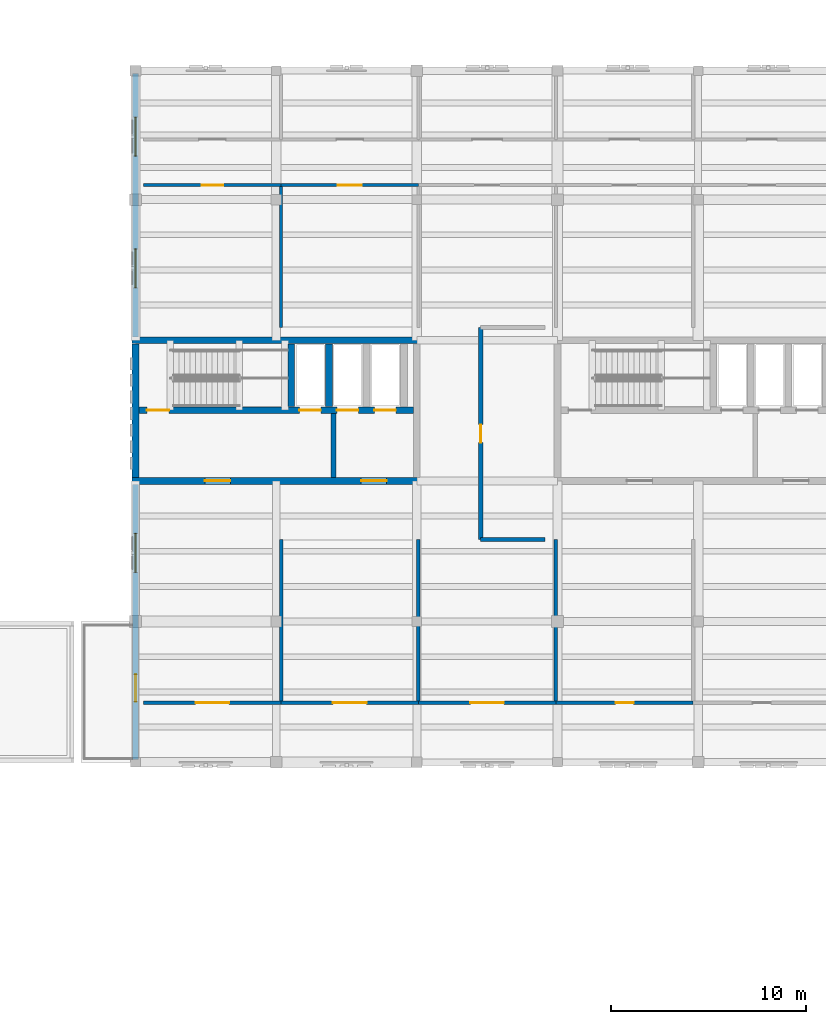
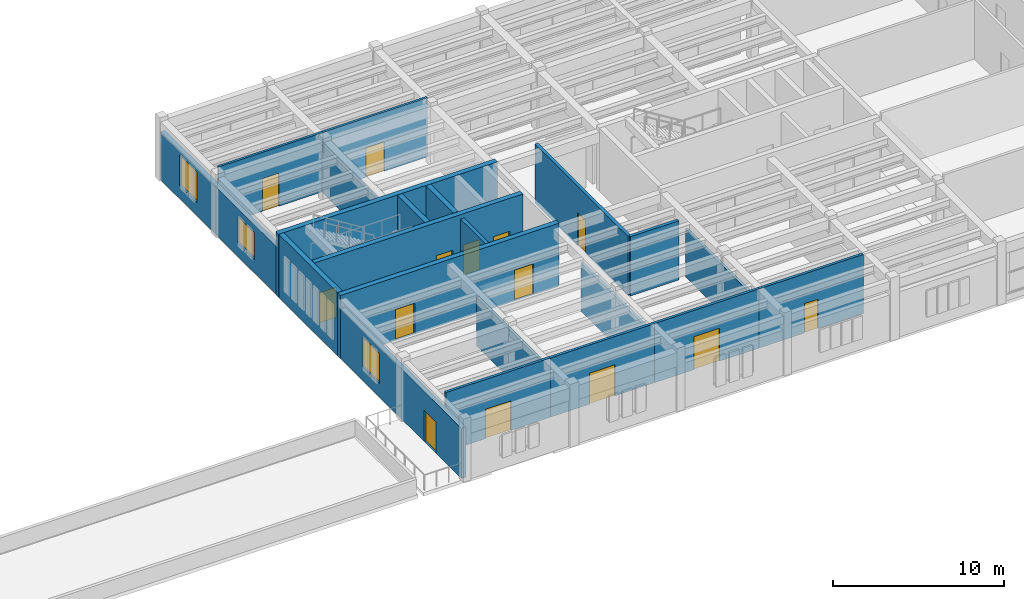
# One storey, part 12 of 18: 21 walls, 14 doors, 3 windows, 17 openings.
"""IFC4 building model written with IfcOpenShell, lengths in metres."""

from ifc_helpers import new_model, si_unit, direction, frame, frame_2d, origin, place, context, subcontext, project, spatial, rectangle, extrude, material, layer, layer_set, type_object, element, fill, save


model = new_model("IFC4")

# Units and contexts
model_context = context("Model", 3, precision=1e-05, world=origin(), true_north=direction((0.0, 1.0)))
body_context = subcontext(model_context, "Body", "Model", "MODEL_VIEW")
ifc_project = project(units=[si_unit("LENGTHUNIT", "METRE"), si_unit("AREAUNIT", "SQUARE_METRE"), si_unit("VOLUMEUNIT", "CUBIC_METRE"), si_unit("PLANEANGLEUNIT", "RADIAN"), si_unit("MASSUNIT", "GRAM", prefix="KILO")], contexts=[model_context])

# Site, building, storey
site_placement = place(None, origin())
site = spatial("IfcSite", under=ifc_project, at=site_placement, CompositionType="ELEMENT")
building_placement = place(site_placement, origin())
building = spatial("IfcBuilding", under=site, at=building_placement, Name="Mithqara Police Headquarters", CompositionType="ELEMENT")
storey_placement = place(building_placement, frame((0.0, 0.0, 26.39990234375)))
storey = spatial("IfcBuildingStorey", under=building, at=storey_placement, Name="L06", CompositionType="ELEMENT", Elevation=26.39990234375)

# Wall
ifc_material_1 = material(Name="Concrete C40/50", Category="concrete")
ifc_layer_1 = layer(ifc_material_1, 0.239990234375, Name="Concrete C40/50")
ifc_layer_set_1 = layer_set([ifc_layer_1], Name="Concrete C40/50")
wall_type_1 = type_object("IfcWallType", Name="CORE LOBBY WALL 240", PredefinedType="SOLIDWALL", material=ifc_layer_set_1)
wall_1_placement = place(storey_placement, frame((118.72998046875, 93.169921875, 0.0), z_axis=(0.0, 0.0, 1.0), x_axis=(0.0, 1.0, 0.0)))
element("IfcWall", 1, at=wall_1_placement, inside=storey, type_object=wall_type_1, Name="Core C1 Command West Firefighting Lobby Separation Wall L06", PredefinedType="SOLIDWALL", context=body_context, shape_type="SweptSolid", body=[
    extrude(rectangle(XDim=3.280029296875, YDim=0.239990234375, at=frame_2d((1.64013671875, 0.0))), origin(), (0.0, 0.0, 1.0), 4.190185546875),
])

# Wall, openings, windows
ifc_material_2 = material(Name="Ochre masonry cavity wall, 35 MPa", Category="masonry")
ifc_layer_2 = layer(ifc_material_2, 0.300048828125, Name="Ochre masonry cavity wall, 35 MPa")
ifc_layer_set_2 = layer_set([ifc_layer_2], Name="Ochre masonry cavity wall, 35 MPa")
wall_type_2 = type_object("IfcWallType", Name="EXT WALL OCHRE BRICK300", PredefinedType="SOLIDWALL", material=ifc_layer_set_2)
wall_2_placement = place(storey_placement, frame((108.60009765625, 113.85009765625, 0.0), z_axis=(0.0, 0.0, 1.0), x_axis=(0.0, -1.0, 0.0)))
wall_2 = element("IfcWall", 2, at=wall_2_placement, inside=storey, type_object=wall_type_2, Name="L06 Exterior Wall 7.1", PredefinedType="SOLIDWALL", context=body_context, shape_type="SweptSolid", body=[
    extrude(rectangle(XDim=13.47998046875, YDim=0.300048828125, at=frame_2d((6.739990234375, 0.0))), origin(), (0.0, 0.0, 1.0), 3.420166015625),
])
opening_1_placement = place(wall_2_placement, frame((8.965087890625, 0.0, 0.949951171875)))
opening_1 = element("IfcOpeningElement", 3, at=opening_1_placement, cuts=wall_2, Name="Opening W-38", PredefinedType="OPENING", context=body_context, shape_type="SweptSolid", body=[
    extrude(rectangle(XDim=2.0, YDim=1.89990234375, at=frame_2d((1.0, 0.949951171875))), frame((0.0, 0.16015625, 0.0), z_axis=(0.0, -1.0, 0.0), x_axis=(1.0, 0.0, 0.0)), (0.0, 0.0, 1.0), 0.320068359375),
])
opening_2_placement = place(wall_2_placement, frame((2.22509765625, 0.0, 0.949951171875)))
opening_2 = element("IfcOpeningElement", 4, at=opening_2_placement, cuts=wall_2, Name="Opening W-39", PredefinedType="OPENING", context=body_context, shape_type="SweptSolid", body=[
    extrude(rectangle(XDim=2.0, YDim=2.14990234375, at=frame_2d((1.0, 1.074951171875))), frame((0.0, 0.16015625, 0.0), z_axis=(0.0, -1.0, 0.0), x_axis=(1.0, 0.0, 0.0)), (0.0, 0.0, 1.0), 0.320068359375),
])
ifc_material_3 = material(Name="Spectrally selective double low-e glass", Category="glass")
window_type_1 = type_object("IfcWindowType", Name="WINDOW 2000X1900", PartitioningType="DOUBLE_PANEL_VERTICAL", PredefinedType="WINDOW", material=ifc_material_3)
window_1_placement = place(opening_1_placement, origin())
window_1 = element("IfcWindow", 5, at=window_1_placement, inside=storey, type_object=window_type_1, Name="L06 Command Block Screened Window 7.1", OverallHeight=1.89990234375, OverallWidth=2.0, PartitioningType="SINGLE_PANEL", PredefinedType="WINDOW", context=body_context, shape_type="SweptSolid", body=[
    extrude(rectangle(XDim=2.0, YDim=1.89990234375, at=frame_2d((1.0, 0.949951171875))), frame((0.0, 0.030029296875, 0.0), z_axis=(0.0, -1.0, 0.0), x_axis=(1.0, 0.0, 0.0)), (0.0, 0.0, 1.0), 0.06005859375),
])
fill(opening_1, window_1)
window_type_2 = type_object("IfcWindowType", Name="WINDOW 2000X2150", PartitioningType="DOUBLE_PANEL_VERTICAL", PredefinedType="WINDOW", material=ifc_material_3)
window_2_placement = place(opening_2_placement, origin())
window_2 = element("IfcWindow", 6, at=window_2_placement, inside=storey, type_object=window_type_2, Name="L06 Command Block Screened Window 7.2", OverallHeight=2.14990234375, OverallWidth=2.0, PartitioningType="SINGLE_PANEL", PredefinedType="WINDOW", context=body_context, shape_type="SweptSolid", body=[
    extrude(rectangle(XDim=2.0, YDim=2.14990234375, at=frame_2d((1.0, 1.074951171875))), frame((0.0, 0.030029296875, 0.0), z_axis=(0.0, -1.0, 0.0), x_axis=(1.0, 0.0, 0.0)), (0.0, 0.0, 1.0), 0.06005859375),
])
fill(opening_2, window_2)

# Wall, openings, door, window
wall_3_placement = place(storey_placement, frame((108.60009765625, 92.830078125, 0.0), z_axis=(0.0, 0.0, 1.0), x_axis=(0.0, -1.0, 0.0)))
wall_3 = element("IfcWall", 7, at=wall_3_placement, inside=storey, type_object=wall_type_2, Name="L06 Exterior Wall 7.2", PredefinedType="SOLIDWALL", context=body_context, shape_type="SweptSolid", body=[
    extrude(rectangle(XDim=14.080078125, YDim=0.300048828125, at=frame_2d((7.0400390625, 0.0))), origin(), (0.0, 0.0, 1.0), 3.570068359375),
])
opening_3_placement = place(wall_3_placement, frame((9.72998046875, 0.0, 0.0)))
opening_3 = element("IfcOpeningElement", 8, at=opening_3_placement, cuts=wall_3, Name="Opening TD-02", PredefinedType="OPENING", context=body_context, shape_type="SweptSolid", body=[
    extrude(rectangle(XDim=1.39990234375, YDim=2.199951171875, at=frame_2d((0.699951171875, 1.10009765625))), frame((0.0, 0.16015625, 0.0), z_axis=(0.0, -1.0, 0.0), x_axis=(1.0, 0.0, 0.0)), (0.0, 0.0, 1.0), 0.320068359375),
])
opening_4_placement = place(wall_3_placement, frame((2.514892578125, 0.0, 0.949951171875)))
opening_4 = element("IfcOpeningElement", 9, at=opening_4_placement, cuts=wall_3, Name="Opening W-39", PredefinedType="OPENING", context=body_context, shape_type="SweptSolid", body=[
    extrude(rectangle(XDim=2.0, YDim=2.14990234375, at=frame_2d((1.0, 1.074951171875))), frame((0.0, 0.16015625, 0.0), z_axis=(0.0, -1.0, 0.0), x_axis=(1.0, 0.0, 0.0)), (0.0, 0.0, 1.0), 0.320068359375),
])
ifc_material_4 = material(Name="Bronze anodised aluminium 6063-T6", Category="aluminium")
door_type_1 = type_object("IfcDoorType", Name="EXT DOOR TERRACE 1400X2200", OperationType="DOUBLE_DOOR_SINGLE_SWING", PredefinedType="DOOR", material=ifc_material_4)
door_1_placement = place(opening_3_placement, frame((1.39990234375, 0.0, 0.0), z_axis=(0.0, 0.0, 1.0), x_axis=(-1.0, 0.0, 0.0)))
door_1 = element("IfcDoor", 10, at=door_1_placement, inside=storey, type_object=door_type_1, Name="L06 Terrace Access Door TER-L06-W", OperationType="DOUBLE_DOOR_SINGLE_SWING", OverallHeight=2.199951171875, OverallWidth=1.39990234375, PredefinedType="DOOR", context=body_context, shape_type="SweptSolid", body=[
    extrude(rectangle(XDim=1.39990234375, YDim=2.199951171875, at=frame_2d((0.699951171875, 1.10009765625))), frame((0.0, 0.02490234375, 0.0), z_axis=(0.0, -1.0, 0.0), x_axis=(1.0, 0.0, 0.0)), (0.0, 0.0, 1.0), 0.050048828125),
])
fill(opening_3, door_1)
window_3_placement = place(opening_4_placement, origin())
window_3 = element("IfcWindow", 11, at=window_3_placement, inside=storey, type_object=window_type_2, Name="L06 Command Block Screened Window 7.2", OverallHeight=2.14990234375, OverallWidth=2.0, PartitioningType="SINGLE_PANEL", PredefinedType="WINDOW", context=body_context, shape_type="SweptSolid", body=[
    extrude(rectangle(XDim=2.0, YDim=2.14990234375, at=frame_2d((1.0, 1.074951171875))), frame((0.0, 0.030029296875, 0.0), z_axis=(0.0, -1.0, 0.0), x_axis=(1.0, 0.0, 0.0)), (0.0, 0.0, 1.0), 0.06005859375),
])
fill(opening_4, window_3)

# Wall, opening, door
ifc_material_5 = material(Name="Gypsum acoustic stud partition", Category="gypsum")
ifc_layer_3 = layer(ifc_material_5, 0.159912109375, Name="Gypsum acoustic stud partition")
ifc_layer_set_3 = layer_set([ifc_layer_3], Name="Gypsum acoustic stud partition")
wall_type_3 = type_object("IfcWallType", Name="PART WALL 160", PredefinedType="PARTITIONING", material=ifc_layer_set_3)
wall_4_placement = place(storey_placement, frame((109.02001953125, 108.139892578125, 0.0), z_axis=(0.0, 0.0, 1.0), x_axis=(1.0, 0.0, 0.0)))
wall_4 = element("IfcWall", 12, at=wall_4_placement, inside=storey, type_object=wall_type_3, Name="L06 Corridor Wall Joint Intelligence Operations Room", PredefinedType="PARTITIONING", context=body_context, shape_type="SweptSolid", body=[
    extrude(rectangle(XDim=7.031982421875, YDim=0.159912109375, at=frame_2d((3.51611328125, 0.0))), origin(), (0.0, 0.0, 1.0), 4.22021484375),
])
opening_5_placement = place(wall_4_placement, frame((2.966064453125, 0.0, 0.0)))
opening_5 = element("IfcOpeningElement", 13, at=opening_5_placement, cuts=wall_4, Name="Opening D-12", PredefinedType="OPENING", context=body_context, shape_type="SweptSolid", body=[
    extrude(rectangle(XDim=1.10009765625, YDim=2.35009765625, at=frame_2d((0.550048828125, 1.175048828125))), frame((0.0, 0.08984375, 0.0), z_axis=(0.0, -1.0, 0.0), x_axis=(1.0, 0.0, 0.0)), (0.0, 0.0, 1.0), 0.179931640625),
])
ifc_material_6 = material(Name="Acoustic solid-core timber leaf", Category="wood")
door_type_2 = type_object("IfcDoorType", Name="INT DOOR 1100X2350", OperationType="NOTDEFINED", PredefinedType="DOOR", material=ifc_material_6)
door_2_placement = place(opening_5_placement, frame((1.10009765625, 0.0, 0.0), z_axis=(0.0, 0.0, 1.0), x_axis=(-1.0, 0.0, 0.0)))
door_2 = element("IfcDoor", 14, at=door_2_placement, inside=storey, type_object=door_type_2, Name="Joint Intelligence Operations Room Entry Door", OperationType="SINGLE_SWING_LEFT", OverallHeight=2.35009765625, OverallWidth=1.10009765625, PredefinedType="DOOR", context=body_context, shape_type="SweptSolid", body=[
    extrude(rectangle(XDim=1.10009765625, YDim=2.35009765625, at=frame_2d((0.550048828125, 1.175048828125))), frame((0.0, 0.02490234375, 0.0), z_axis=(0.0, -1.0, 0.0), x_axis=(1.0, 0.0, 0.0)), (0.0, 0.0, 1.0), 0.050048828125),
])
fill(opening_5, door_2)

# Wall
wall_5_placement = place(storey_placement, frame((116.052001953125, 100.85009765625, 0.0), z_axis=(0.0, 0.0, 1.0), x_axis=(0.0, 1.0, 0.0)))
element("IfcWall", 15, at=wall_5_placement, inside=storey, type_object=wall_type_3, Name="L06 Room Partition Joint Intelligence Operations Room", PredefinedType="PARTITIONING", context=body_context, shape_type="SweptSolid", body=[
    extrude(rectangle(XDim=7.289794921875, YDim=0.159912109375, at=frame_2d((3.64501953125, 0.0))), origin(), (0.0, 0.0, 1.0), 3.3701171875),
])

# Wall, opening, door
wall_6_placement = place(storey_placement, frame((116.052001953125, 108.139892578125, 0.0), z_axis=(0.0, 0.0, 1.0), x_axis=(1.0, 0.0, 0.0)))
wall_6 = element("IfcWall", 16, at=wall_6_placement, inside=storey, type_object=wall_type_3, Name="L06 Corridor Wall Radio Cryptography Server Room", PredefinedType="PARTITIONING", context=body_context, shape_type="SweptSolid", body=[
    extrude(rectangle(XDim=7.031982421875, YDim=0.159912109375, at=frame_2d((3.51611328125, 0.0))), origin(), (0.0, 0.0, 1.0), 4.22021484375),
])
opening_6_placement = place(wall_6_placement, frame((2.906005859375, 0.0, 0.0)))
opening_6 = element("IfcOpeningElement", 17, at=opening_6_placement, cuts=wall_6, Name="Opening D-13", PredefinedType="OPENING", context=body_context, shape_type="SweptSolid", body=[
    extrude(rectangle(XDim=1.219970703125, YDim=2.10009765625, at=frame_2d((0.60986328125, 1.050048828125))), frame((0.0, 0.08984375, 0.0), z_axis=(0.0, -1.0, 0.0), x_axis=(1.0, 0.0, 0.0)), (0.0, 0.0, 1.0), 0.179931640625),
])
door_type_3 = type_object("IfcDoorType", Name="INT DOOR 1220X2100", OperationType="NOTDEFINED", PredefinedType="DOOR", material=ifc_material_6)
door_3_placement = place(opening_6_placement, frame((1.219970703125, 0.0, 0.0), z_axis=(0.0, 0.0, 1.0), x_axis=(-1.0, 0.0, 0.0)))
door_3 = element("IfcDoor", 18, at=door_3_placement, inside=storey, type_object=door_type_3, Name="Radio Cryptography Server Room Entry Door", OperationType="SINGLE_SWING_RIGHT", OverallHeight=2.10009765625, OverallWidth=1.219970703125, PredefinedType="DOOR", context=body_context, shape_type="SweptSolid", body=[
    extrude(rectangle(XDim=1.219970703125, YDim=2.10009765625, at=frame_2d((0.60986328125, 1.050048828125))), frame((0.0, 0.02490234375, 0.0), z_axis=(0.0, -1.0, 0.0), x_axis=(1.0, 0.0, 0.0)), (0.0, 0.0, 1.0), 0.050048828125),
])
fill(opening_6, door_3)

ifc_layer_4 = layer(ifc_material_1, 0.179931640625, Name="Concrete C40/50")
ifc_layer_set_4 = layer_set([ifc_layer_4], Name="Concrete C40/50")
wall_type_4 = type_object("IfcWallType", Name="PART WALL 180", PredefinedType="PARTITIONING", material=ifc_layer_set_4)
wall_7_placement = place(storey_placement, frame((109.02001953125, 81.639892578125, 0.0), z_axis=(0.0, 0.0, 1.0), x_axis=(1.0, 0.0, 0.0)))
wall_7 = element("IfcWall", 19, at=wall_7_placement, inside=storey, type_object=wall_type_4, Name="L06 Corridor Wall Joint Intelligence Operations Room", PredefinedType="PARTITIONING", context=body_context, shape_type="SweptSolid", body=[
    extrude(rectangle(XDim=7.031982421875, YDim=0.179931640625, at=frame_2d((3.51611328125, 0.0))), origin(), (0.0, 0.0, 1.0), 4.22021484375),
])
opening_7_placement = place(wall_7_placement, frame((2.656005859375, 0.0, 0.0)))
opening_7 = element("IfcOpeningElement", 20, at=opening_7_placement, cuts=wall_7, Name="Opening D-22", PredefinedType="OPENING", context=body_context, shape_type="SweptSolid", body=[
    extrude(rectangle(XDim=1.719970703125, YDim=2.10009765625, at=frame_2d((0.85986328125, 1.050048828125))), frame((0.0, 0.10009765625, 0.0), z_axis=(0.0, -1.0, 0.0), x_axis=(1.0, 0.0, 0.0)), (0.0, 0.0, 1.0), 0.199951171875),
])
door_type_4 = type_object("IfcDoorType", Name="INT DOOR 1720X2100", OperationType="NOTDEFINED", PredefinedType="DOOR", material=ifc_material_4)
door_4_placement = place(opening_7_placement, origin())
door_4 = element("IfcDoor", 21, at=door_4_placement, inside=storey, type_object=door_type_4, Name="Joint Intelligence Operations Room Entry Door", OperationType="DOUBLE_DOOR_SINGLE_SWING", OverallHeight=2.10009765625, OverallWidth=1.719970703125, PredefinedType="DOOR", context=body_context, shape_type="SweptSolid", body=[
    extrude(rectangle(XDim=1.719970703125, YDim=2.10009765625, at=frame_2d((0.85986328125, 1.050048828125))), frame((0.0, 0.02490234375, 0.0), z_axis=(0.0, -1.0, 0.0), x_axis=(1.0, 0.0, 0.0)), (0.0, 0.0, 1.0), 0.050048828125),
])
fill(opening_7, door_4)

# Wall
wall_8_placement = place(storey_placement, frame((116.052001953125, 81.639892578125, 0.0), z_axis=(0.0, 0.0, 1.0), x_axis=(0.0, 1.0, 0.0)))
element("IfcWall", 22, at=wall_8_placement, inside=storey, type_object=wall_type_4, Name="L06 Room Partition Joint Intelligence Operations Room", PredefinedType="PARTITIONING", context=body_context, shape_type="SweptSolid", body=[
    extrude(rectangle(XDim=8.360107421875, YDim=0.179931640625, at=frame_2d((4.18017578125, 0.0))), origin(), (0.0, 0.0, 1.0), 3.47021484375),
])

# Wall, opening, door
wall_9_placement = place(storey_placement, frame((116.052001953125, 81.639892578125, 0.0), z_axis=(0.0, 0.0, 1.0), x_axis=(1.0, 0.0, 0.0)))
wall_9 = element("IfcWall", 23, at=wall_9_placement, inside=storey, type_object=wall_type_4, Name="L06 Corridor Wall Radio Cryptography Server Room", PredefinedType="PARTITIONING", context=body_context, shape_type="SweptSolid", body=[
    extrude(rectangle(XDim=7.031982421875, YDim=0.179931640625, at=frame_2d((3.51611328125, 0.0))), origin(), (0.0, 0.0, 1.0), 4.22021484375),
])
opening_8_placement = place(wall_9_placement, frame((2.656005859375, 0.0, 0.0)))
opening_8 = element("IfcOpeningElement", 24, at=opening_8_placement, cuts=wall_9, Name="Opening D-23", PredefinedType="OPENING", context=body_context, shape_type="SweptSolid", body=[
    extrude(rectangle(XDim=1.719970703125, YDim=2.219970703125, at=frame_2d((0.85986328125, 1.10986328125))), frame((0.0, 0.10009765625, 0.0), z_axis=(0.0, -1.0, 0.0), x_axis=(1.0, 0.0, 0.0)), (0.0, 0.0, 1.0), 0.199951171875),
])
door_type_5 = type_object("IfcDoorType", Name="INT DOOR 1720X2220", OperationType="NOTDEFINED", PredefinedType="DOOR", material=ifc_material_4)
door_5_placement = place(opening_8_placement, origin())
door_5 = element("IfcDoor", 25, at=door_5_placement, inside=storey, type_object=door_type_5, Name="Radio Cryptography Server Room Entry Door", OperationType="DOUBLE_DOOR_SINGLE_SWING", OverallHeight=2.219970703125, OverallWidth=1.719970703125, PredefinedType="DOOR", context=body_context, shape_type="SweptSolid", body=[
    extrude(rectangle(XDim=1.719970703125, YDim=2.219970703125, at=frame_2d((0.85986328125, 1.10986328125))), frame((0.0, 0.02490234375, 0.0), z_axis=(0.0, -1.0, 0.0), x_axis=(1.0, 0.0, 0.0)), (0.0, 0.0, 1.0), 0.050048828125),
])
fill(opening_8, door_5)

# Wall
wall_10_placement = place(storey_placement, frame((123.083984375, 81.639892578125, 0.0), z_axis=(0.0, 0.0, 1.0), x_axis=(0.0, 1.0, 0.0)))
element("IfcWall", 26, at=wall_10_placement, inside=storey, type_object=wall_type_4, Name="L06 Room Partition Radio Cryptography Server Room", PredefinedType="PARTITIONING", context=body_context, shape_type="SweptSolid", body=[
    extrude(rectangle(XDim=8.360107421875, YDim=0.179931640625, at=frame_2d((4.18017578125, 0.0))), origin(), (0.0, 0.0, 1.0), 3.47021484375),
])

# Wall, opening, door
wall_11_placement = place(storey_placement, frame((123.083984375, 81.639892578125, 0.0), z_axis=(0.0, 0.0, 1.0), x_axis=(1.0, 0.0, 0.0)))
wall_11 = element("IfcWall", 27, at=wall_11_placement, inside=storey, type_object=wall_type_4, Name="L06 Corridor Wall Shift Commander Briefing Room", PredefinedType="PARTITIONING", context=body_context, shape_type="SweptSolid", body=[
    extrude(rectangle(XDim=7.031982421875, YDim=0.179931640625, at=frame_2d((3.51611328125, 0.0))), origin(), (0.0, 0.0, 1.0), 4.22021484375),
])
opening_9_placement = place(wall_11_placement, frame((2.656005859375, 0.0, 0.0)))
opening_9 = element("IfcOpeningElement", 28, at=opening_9_placement, cuts=wall_11, Name="Opening D-24", PredefinedType="OPENING", context=body_context, shape_type="SweptSolid", body=[
    extrude(rectangle(XDim=1.719970703125, YDim=2.35009765625, at=frame_2d((0.85986328125, 1.175048828125))), frame((0.0, 0.10009765625, 0.0), z_axis=(0.0, -1.0, 0.0), x_axis=(1.0, 0.0, 0.0)), (0.0, 0.0, 1.0), 0.199951171875),
])
door_type_6 = type_object("IfcDoorType", Name="INT DOOR 1720X2350", OperationType="NOTDEFINED", PredefinedType="DOOR", material=ifc_material_4)
door_6_placement = place(opening_9_placement, origin())
door_6 = element("IfcDoor", 29, at=door_6_placement, inside=storey, type_object=door_type_6, Name="Shift Commander Briefing Room Entry Door", OperationType="DOUBLE_DOOR_SINGLE_SWING", OverallHeight=2.35009765625, OverallWidth=1.719970703125, PredefinedType="DOOR", context=body_context, shape_type="SweptSolid", body=[
    extrude(rectangle(XDim=1.719970703125, YDim=2.35009765625, at=frame_2d((0.85986328125, 1.175048828125))), frame((0.0, 0.02490234375, 0.0), z_axis=(0.0, -1.0, 0.0), x_axis=(1.0, 0.0, 0.0)), (0.0, 0.0, 1.0), 0.050048828125),
])
fill(opening_9, door_6)

# Wall
wall_12_placement = place(storey_placement, frame((130.115966796875, 81.639892578125, 0.0), z_axis=(0.0, 0.0, 1.0), x_axis=(0.0, 1.0, 0.0)))
element("IfcWall", 30, at=wall_12_placement, inside=storey, type_object=wall_type_4, Name="L06 Room Partition Shift Commander Briefing Room", PredefinedType="PARTITIONING", context=body_context, shape_type="SweptSolid", body=[
    extrude(rectangle(XDim=8.360107421875, YDim=0.179931640625, at=frame_2d((4.18017578125, 0.0))), origin(), (0.0, 0.0, 1.0), 3.420166015625),
])

# Wall, opening, door
wall_13_placement = place(storey_placement, frame((130.115966796875, 81.639892578125, 0.0), z_axis=(0.0, 0.0, 1.0), x_axis=(1.0, 0.0, 0.0)))
wall_13 = element("IfcWall", 31, at=wall_13_placement, inside=storey, type_object=wall_type_4, Name="L06 Corridor Wall Male Staff WC", PredefinedType="PARTITIONING", context=body_context, shape_type="SweptSolid", body=[
    extrude(rectangle(XDim=7.031982421875, YDim=0.179931640625, at=frame_2d((3.51611328125, 0.0))), origin(), (0.0, 0.0, 1.0), 4.22021484375),
])
opening_10_placement = place(wall_13_placement, frame((3.055908203125, 0.0, 0.0)))
opening_10 = element("IfcOpeningElement", 32, at=opening_10_placement, cuts=wall_13, Name="Opening D-01", PredefinedType="OPENING", context=body_context, shape_type="SweptSolid", body=[
    extrude(rectangle(XDim=0.919921875, YDim=2.10009765625, at=frame_2d((0.4599609375, 1.050048828125))), frame((0.0, 0.10009765625, 0.0), z_axis=(0.0, -1.0, 0.0), x_axis=(1.0, 0.0, 0.0)), (0.0, 0.0, 1.0), 0.199951171875),
])
door_type_7 = type_object("IfcDoorType", Name="INT DOOR 920X2100", OperationType="NOTDEFINED", PredefinedType="DOOR", material=ifc_material_6)
door_7_placement = place(opening_10_placement, origin())
door_7 = element("IfcDoor", 33, at=door_7_placement, inside=storey, type_object=door_type_7, Name="Male Staff WC Entry Door", OperationType="SINGLE_SWING_RIGHT", OverallHeight=2.10009765625, OverallWidth=0.919921875, PredefinedType="DOOR", context=body_context, shape_type="SweptSolid", body=[
    extrude(rectangle(XDim=0.919921875, YDim=2.10009765625, at=frame_2d((0.4599609375, 1.050048828125))), frame((0.0, 0.02490234375, 0.0), z_axis=(0.0, -1.0, 0.0), x_axis=(1.0, 0.0, 0.0)), (0.0, 0.0, 1.0), 0.050048828125),
])
fill(opening_10, door_7)

# Wall
ifc_layer_5 = layer(ifc_material_1, 0.2099609375, Name="Concrete C40/50")
ifc_layer_set_5 = layer_set([ifc_layer_5], Name="Concrete C40/50")
wall_type_5 = type_object("IfcWallType", Name="PART WALL 210", PredefinedType="PARTITIONING", material=ifc_layer_set_5)
wall_14_placement = place(storey_placement, frame((126.27001953125, 90.0, 0.0), z_axis=(0.0, 0.0, 1.0), x_axis=(1.0, 0.0, 0.0)))
element("IfcWall", 34, at=wall_14_placement, inside=storey, type_object=wall_type_5, Name="L06 Partition End Closure E0", PredefinedType="PARTITIONING", context=body_context, shape_type="SweptSolid", body=[
    extrude(rectangle(XDim=3.280029296875, YDim=0.2099609375, at=frame_2d((1.64013671875, 0.0))), origin(), (0.0, 0.0, 1.0), 4.22021484375),
])

# Wall, opening, door
wall_15_placement = place(storey_placement, frame((126.27001953125, 90.0, 0.0), z_axis=(0.0, 0.0, 1.0), x_axis=(0.0, 1.0, 0.0)))
wall_15 = element("IfcWall", 35, at=wall_15_placement, inside=storey, type_object=wall_type_5, Name="L06 Corridor Wall Joint Intelligence Operations Room", PredefinedType="PARTITIONING", context=body_context, shape_type="SweptSolid", body=[
    extrude(rectangle(XDim=10.85009765625, YDim=0.2099609375, at=frame_2d((5.425048828125, 0.0))), origin(), (0.0, 0.0, 1.0), 4.22021484375),
])
opening_11_placement = place(wall_15_placement, frame((4.965087890625, 0.0, 0.0)))
opening_11 = element("IfcOpeningElement", 36, at=opening_11_placement, cuts=wall_15, Name="Opening D-03", PredefinedType="OPENING", context=body_context, shape_type="SweptSolid", body=[
    extrude(rectangle(XDim=0.919921875, YDim=2.35009765625, at=frame_2d((0.4599609375, 1.175048828125))), frame((0.0, 0.114990234375, 0.0), z_axis=(0.0, -1.0, 0.0), x_axis=(1.0, 0.0, 0.0)), (0.0, 0.0, 1.0), 0.22998046875),
])
door_type_8 = type_object("IfcDoorType", Name="INT DOOR 920X2350", OperationType="NOTDEFINED", PredefinedType="DOOR", material=ifc_material_6)
door_8_placement = place(opening_11_placement, origin())
door_8 = element("IfcDoor", 37, at=door_8_placement, inside=storey, type_object=door_type_8, Name="Joint Intelligence Operations Room Entry Door", OperationType="SINGLE_SWING_RIGHT", OverallHeight=2.35009765625, OverallWidth=0.919921875, PredefinedType="DOOR", context=body_context, shape_type="SweptSolid", body=[
    extrude(rectangle(XDim=0.919921875, YDim=2.35009765625, at=frame_2d((0.4599609375, 1.175048828125))), frame((0.0, 0.02490234375, 0.0), z_axis=(0.0, -1.0, 0.0), x_axis=(1.0, 0.0, 0.0)), (0.0, 0.0, 1.0), 0.050048828125),
])
fill(opening_11, door_8)

# Wall
ifc_material_7 = material(Name="Concrete C50/60", Category="concrete")
ifc_layer_6 = layer(ifc_material_7, 0.340087890625, Name="Concrete C50/60")
ifc_layer_set_6 = layer_set([ifc_layer_6], Name="Concrete C50/60")
wall_type_6 = type_object("IfcWallType", Name="SHEAR WALL 340", PredefinedType="SHEAR", material=ifc_layer_set_6)
wall_16_placement = place(storey_placement, frame((108.429931640625, 100.199951171875, 0.0), z_axis=(0.0, 0.0, 1.0), x_axis=(1.0, 0.0, 0.0)))
element("IfcWall", 38, at=wall_16_placement, inside=storey, type_object=wall_type_6, Name="Core C1 Command West Shear Wall N", PredefinedType="SHEAR", context=body_context, shape_type="SweptSolid", body=[
    extrude(rectangle(XDim=14.739990234375, YDim=0.340087890625, at=frame_2d((7.3701171875, 0.0))), origin(), (0.0, 0.0, 1.0), 4.5),
])

# Wall, openings, doors
wall_17_placement = place(storey_placement, frame((108.429931640625, 93.0, 0.0), z_axis=(0.0, 0.0, 1.0), x_axis=(1.0, 0.0, 0.0)))
wall_17 = element("IfcWall", 39, at=wall_17_placement, inside=storey, type_object=wall_type_6, Name="Core C1 Command West Shear Wall S", PredefinedType="SHEAR", context=body_context, shape_type="SweptSolid", body=[
    extrude(rectangle(XDim=14.739990234375, YDim=0.340087890625, at=frame_2d((7.3701171875, 0.0))), origin(), (0.0, 0.0, 1.0), 4.5),
])
opening_12_placement = place(wall_17_placement, frame((3.719970703125, 0.0, 0.0)))
opening_12 = element("IfcOpeningElement", 40, at=opening_12_placement, cuts=wall_17, Name="Opening FD-02", PredefinedType="OPENING", context=body_context, shape_type="SweptSolid", body=[
    extrude(rectangle(XDim=1.300048828125, YDim=2.199951171875, at=frame_2d((0.64990234375, 1.10009765625))), frame((0.0, 0.18017578125, 0.0), z_axis=(0.0, -1.0, 0.0), x_axis=(1.0, 0.0, 0.0)), (0.0, 0.0, 1.0), 0.360107421875),
])
opening_13_placement = place(wall_17_placement, frame((11.719970703125, 0.0, 0.0)))
opening_13 = element("IfcOpeningElement", 41, at=opening_13_placement, cuts=wall_17, Name="Opening FD-02", PredefinedType="OPENING", context=body_context, shape_type="SweptSolid", body=[
    extrude(rectangle(XDim=1.300048828125, YDim=2.199951171875, at=frame_2d((0.64990234375, 1.10009765625))), frame((0.0, 0.18017578125, 0.0), z_axis=(0.0, -1.0, 0.0), x_axis=(1.0, 0.0, 0.0)), (0.0, 0.0, 1.0), 0.360107421875),
])
ifc_material_8 = material(Name="Steel S355JR", Category="steel")
door_type_9 = type_object("IfcDoorType", Name="CORE DOOR LOBBY 1300X2200", OperationType="NOTDEFINED", PredefinedType="DOOR", material=ifc_material_8)
door_9_placement = place(opening_12_placement, frame((1.300048828125, 0.0, 0.0), z_axis=(0.0, 0.0, 1.0), x_axis=(-1.0, 0.0, 0.0)))
door_9 = element("IfcDoor", 42, at=door_9_placement, inside=storey, type_object=door_type_9, Name="Core C1 Command West FF Lobby Fire Door L06", OperationType="SINGLE_SWING_LEFT", OverallHeight=2.199951171875, OverallWidth=1.300048828125, PredefinedType="DOOR", context=body_context, shape_type="SweptSolid", body=[
    extrude(rectangle(XDim=1.300048828125, YDim=2.199951171875, at=frame_2d((0.64990234375, 1.10009765625))), frame((0.0, 0.02490234375, 0.0), z_axis=(0.0, -1.0, 0.0), x_axis=(1.0, 0.0, 0.0)), (0.0, 0.0, 1.0), 0.050048828125),
])
fill(opening_12, door_9)
door_10_placement = place(opening_13_placement, frame((1.300048828125, 0.0, 0.0), z_axis=(0.0, 0.0, 1.0), x_axis=(-1.0, 0.0, 0.0)))
door_10 = element("IfcDoor", 43, at=door_10_placement, inside=storey, type_object=door_type_9, Name="Core C1 Command West PA Lobby Fire Door L06", OperationType="SINGLE_SWING_RIGHT", OverallHeight=2.199951171875, OverallWidth=1.300048828125, PredefinedType="DOOR", context=body_context, shape_type="SweptSolid", body=[
    extrude(rectangle(XDim=1.300048828125, YDim=2.199951171875, at=frame_2d((0.64990234375, 1.10009765625))), frame((0.0, 0.02490234375, 0.0), z_axis=(0.0, -1.0, 0.0), x_axis=(1.0, 0.0, 0.0)), (0.0, 0.0, 1.0), 0.050048828125),
])
fill(opening_13, door_10)

# Wall
wall_18_placement = place(storey_placement, frame((108.60009765625, 93.179931640625, 0.0), z_axis=(0.0, 0.0, 1.0), x_axis=(0.0, 1.0, 0.0)))
element("IfcWall", 44, at=wall_18_placement, inside=storey, type_object=wall_type_6, Name="Core C1 Command West Shear Wall W", PredefinedType="SHEAR", context=body_context, shape_type="SweptSolid", body=[
    extrude(rectangle(XDim=6.840087890625, YDim=0.340087890625, at=frame_2d((3.419921875, 0.0))), origin(), (0.0, 0.0, 1.0), 4.5),
])

# Wall, openings, doors
wall_19_placement = place(storey_placement, frame((108.780029296875, 96.6201171875, 0.0), z_axis=(0.0, 0.0, 1.0), x_axis=(1.0, 0.0, 0.0)))
wall_19 = element("IfcWall", 45, at=wall_19_placement, inside=storey, type_object=wall_type_6, Name="Core C1 Command West Shear Wall M", PredefinedType="SHEAR", context=body_context, shape_type="SweptSolid", body=[
    extrude(rectangle(XDim=14.0400390625, YDim=0.340087890625, at=frame_2d((7.02001953125, 0.0))), origin(), (0.0, 0.0, 1.0), 4.5),
])
opening_14_placement = place(wall_19_placement, frame((8.2099609375, 0.0, 0.0)))
opening_14 = element("IfcOpeningElement", 46, at=opening_14_placement, cuts=wall_19, Name="Opening LD-01", PredefinedType="OPENING", context=body_context, shape_type="SweptSolid", body=[
    extrude(rectangle(XDim=1.10009765625, YDim=2.14990234375, at=frame_2d((0.550048828125, 1.074951171875))), frame((0.0, 0.18017578125, 0.0), z_axis=(0.0, -1.0, 0.0), x_axis=(1.0, 0.0, 0.0)), (0.0, 0.0, 1.0), 0.360107421875),
])
opening_15_placement = place(wall_19_placement, frame((10.1298828125, 0.0, 0.0)))
opening_15 = element("IfcOpeningElement", 47, at=opening_15_placement, cuts=wall_19, Name="Opening LD-01", PredefinedType="OPENING", context=body_context, shape_type="SweptSolid", body=[
    extrude(rectangle(XDim=1.10009765625, YDim=2.14990234375, at=frame_2d((0.550048828125, 1.074951171875))), frame((0.0, 0.18017578125, 0.0), z_axis=(0.0, -1.0, 0.0), x_axis=(1.0, 0.0, 0.0)), (0.0, 0.0, 1.0), 0.360107421875),
])
opening_16_placement = place(wall_19_placement, frame((12.050048828125, 0.0, 0.0)))
opening_16 = element("IfcOpeningElement", 48, at=opening_16_placement, cuts=wall_19, Name="Opening LD-01", PredefinedType="OPENING", context=body_context, shape_type="SweptSolid", body=[
    extrude(rectangle(XDim=1.10009765625, YDim=2.14990234375, at=frame_2d((0.550048828125, 1.074951171875))), frame((0.0, 0.18017578125, 0.0), z_axis=(0.0, -1.0, 0.0), x_axis=(1.0, 0.0, 0.0)), (0.0, 0.0, 1.0), 0.360107421875),
])
opening_17_placement = place(wall_19_placement, frame((0.39501953125, 0.0, 0.0)))
opening_17 = element("IfcOpeningElement", 49, at=opening_17_placement, cuts=wall_19, Name="Opening FD-01", PredefinedType="OPENING", context=body_context, shape_type="SweptSolid", body=[
    extrude(rectangle(XDim=1.14990234375, YDim=2.14990234375, at=frame_2d((0.574951171875, 1.074951171875))), frame((0.0, 0.18017578125, 0.0), z_axis=(0.0, -1.0, 0.0), x_axis=(1.0, 0.0, 0.0)), (0.0, 0.0, 1.0), 0.360107421875),
])
door_type_10 = type_object("IfcDoorType", Name="CORE DOOR STAIR 1150X2150", OperationType="NOTDEFINED", PredefinedType="DOOR", material=ifc_material_8)
door_11_placement = place(opening_17_placement, origin())
door_11 = element("IfcDoor", 50, at=door_11_placement, inside=storey, type_object=door_type_10, Name="Stair ST-01 Fire Door L06", OperationType="SINGLE_SWING_LEFT", OverallHeight=2.14990234375, OverallWidth=1.14990234375, PredefinedType="DOOR", context=body_context, shape_type="SweptSolid", body=[
    extrude(rectangle(XDim=1.14990234375, YDim=2.14990234375, at=frame_2d((0.574951171875, 1.074951171875))), frame((0.0, 0.02490234375, 0.0), z_axis=(0.0, -1.0, 0.0), x_axis=(1.0, 0.0, 0.0)), (0.0, 0.0, 1.0), 0.050048828125),
])
fill(opening_17, door_11)
door_type_11 = type_object("IfcDoorType", Name="LIFT DOOR 1100X2150", OperationType="DOUBLE_DOOR_SLIDING", PredefinedType="DOOR", material=ifc_material_8)
door_12_placement = place(opening_14_placement, frame((1.10009765625, 0.0, 0.0), z_axis=(0.0, 0.0, 1.0), x_axis=(-1.0, 0.0, 0.0)))
door_12 = element("IfcDoor", 51, at=door_12_placement, inside=storey, type_object=door_type_11, Name="Lift Landing Door FL-01-L06", OperationType="DOUBLE_DOOR_SLIDING", OverallHeight=2.14990234375, OverallWidth=1.10009765625, PredefinedType="DOOR", context=body_context, shape_type="SweptSolid", body=[
    extrude(rectangle(XDim=1.10009765625, YDim=2.14990234375, at=frame_2d((0.550048828125, 1.074951171875))), frame((0.0, 0.02490234375, 0.0), z_axis=(0.0, -1.0, 0.0), x_axis=(1.0, 0.0, 0.0)), (0.0, 0.0, 1.0), 0.050048828125),
])
fill(opening_14, door_12)
door_13_placement = place(opening_15_placement, frame((1.10009765625, 0.0, 0.0), z_axis=(0.0, 0.0, 1.0), x_axis=(-1.0, 0.0, 0.0)))
door_13 = element("IfcDoor", 52, at=door_13_placement, inside=storey, type_object=door_type_11, Name="Lift Landing Door LP-01-L06", OperationType="DOUBLE_DOOR_SLIDING", OverallHeight=2.14990234375, OverallWidth=1.10009765625, PredefinedType="DOOR", context=body_context, shape_type="SweptSolid", body=[
    extrude(rectangle(XDim=1.10009765625, YDim=2.14990234375, at=frame_2d((0.550048828125, 1.074951171875))), frame((0.0, 0.02490234375, 0.0), z_axis=(0.0, -1.0, 0.0), x_axis=(1.0, 0.0, 0.0)), (0.0, 0.0, 1.0), 0.050048828125),
])
fill(opening_15, door_13)
door_14_placement = place(opening_16_placement, frame((1.10009765625, 0.0, 0.0), z_axis=(0.0, 0.0, 1.0), x_axis=(-1.0, 0.0, 0.0)))
door_14 = element("IfcDoor", 53, at=door_14_placement, inside=storey, type_object=door_type_11, Name="Lift Landing Door LP-02-L06", OperationType="DOUBLE_DOOR_SLIDING", OverallHeight=2.14990234375, OverallWidth=1.10009765625, PredefinedType="DOOR", context=body_context, shape_type="SweptSolid", body=[
    extrude(rectangle(XDim=1.10009765625, YDim=2.14990234375, at=frame_2d((0.550048828125, 1.074951171875))), frame((0.0, 0.02490234375, 0.0), z_axis=(0.0, -1.0, 0.0), x_axis=(1.0, 0.0, 0.0)), (0.0, 0.0, 1.0), 0.050048828125),
])
fill(opening_16, door_14)

# Walls
for number, where, z_axis, x_axis, name in (
    (54, (116.580078125, 96.800048828125, 0.0), (0.0, 0.0, 1.0), (0.0, 1.0, 0.0), "Core C1 Command West Shear Wall X"),
    (55, (118.5, 96.800048828125, 0.0), (0.0, 0.0, 1.0), (0.0, 1.0, 0.0), "Core C1 Command West Shear Wall L1"),
):
    element("IfcWall", number, at=place(storey_placement, frame(where, z_axis=z_axis, x_axis=x_axis)), inside=storey, type_object=wall_type_6, Name=name, PredefinedType="SHEAR", context=body_context, shape_type="SweptSolid", body=[
        extrude(rectangle(XDim=3.219970703125, YDim=0.340087890625, at=frame_2d((1.60986328125, 0.0))), origin(), (0.0, 0.0, 1.0), 4.5),
    ])

save(model, "model.ifc")
